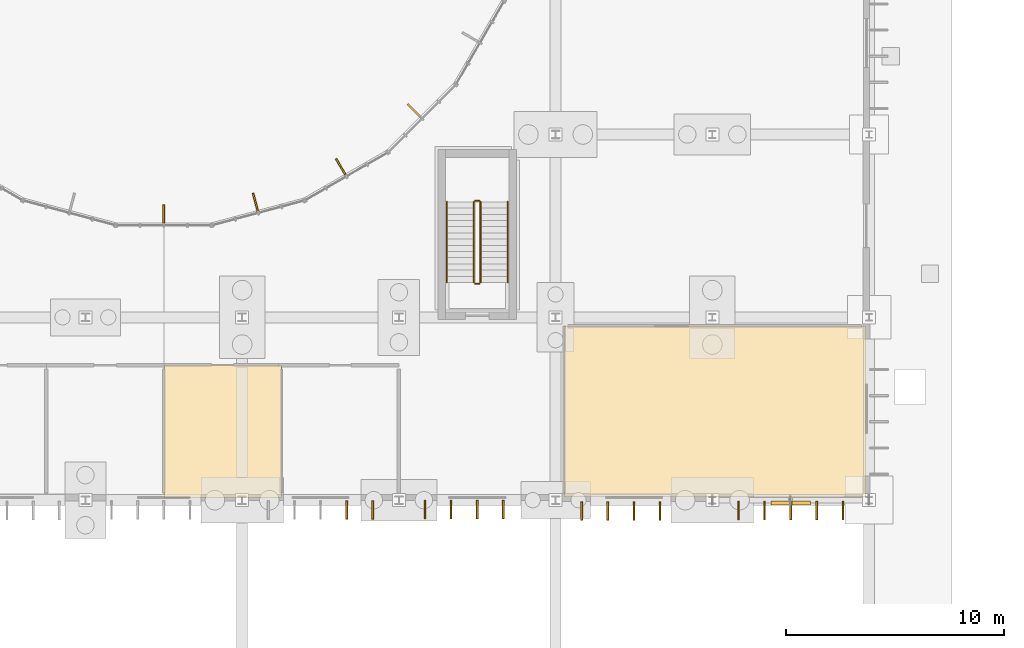
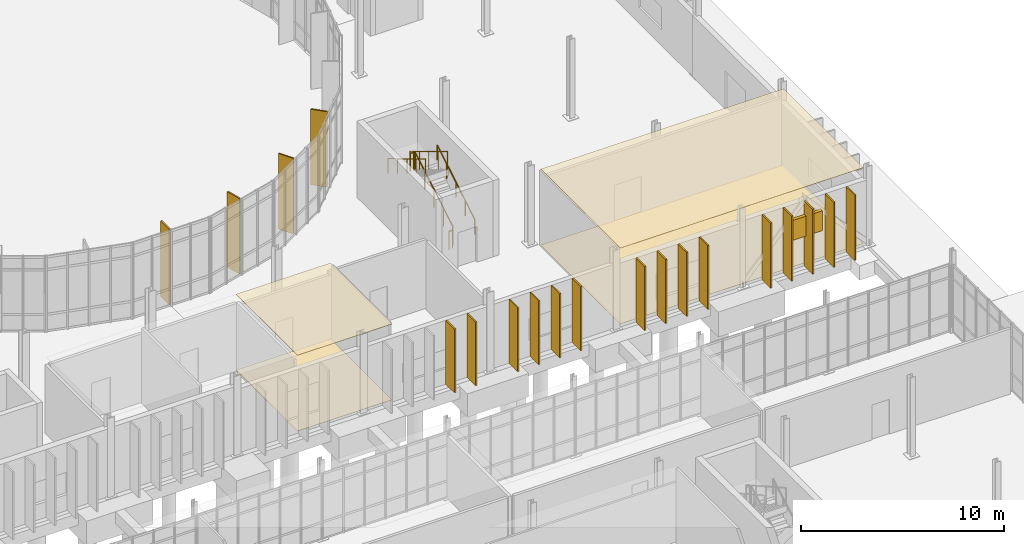
# One storey, part 116 of 118: 20 shading devices, 6 railings, 4 coverings.
"""IFC4 building model written with IfcOpenShell, lengths in metres."""

from ifc_helpers import new_model, si_unit, direction, frame, origin, origin_2d, place, context, subcontext, project, spatial, polyline, rectangle, circle, outline, extrude, material, layer, layer_set, type_object, element, save


model = new_model("IFC4")

# Units and contexts
model_context = context("Model", 3, precision=1e-05, world=origin(), true_north=direction((0.0, 1.0)))
body_context = subcontext(model_context, "Body", "Model", "MODEL_VIEW")
ifc_project = project(units=[si_unit("LENGTHUNIT", "METRE"), si_unit("AREAUNIT", "SQUARE_METRE"), si_unit("VOLUMEUNIT", "CUBIC_METRE"), si_unit("PLANEANGLEUNIT", "RADIAN"), si_unit("MASSUNIT", "GRAM", prefix="KILO")], contexts=[model_context])

# Site, building, storey
site_placement = place(None, origin())
site = spatial("IfcSite", under=ifc_project, at=site_placement, CompositionType="ELEMENT")
building_placement = place(site_placement, origin())
building = spatial("IfcBuilding", under=site, at=building_placement, Name="Qelthora Terrace Specialist Clinic", CompositionType="ELEMENT")
storey_placement = place(building_placement, origin())
storey = spatial("IfcBuildingStorey", under=building, at=storey_placement, Name="L00", CompositionType="ELEMENT", Elevation=0.0)

# Coverings
ifc_material_1 = material(Name="Hygienic mineral-fibre acoustic ceiling", Category="gypsum")
ifc_layer_1 = layer(ifc_material_1, 0.02490234375)
ifc_layer_set_1 = layer_set([ifc_layer_1], Name="Hygienic mineral-fibre acoustic ceiling")
covering_type_1 = type_object("IfcCoveringType", Name="COV-CEIL-ACU-25", PredefinedType="CEILING", material=ifc_layer_set_1)
covering_1_placement = place(storey_placement, frame((0.0, 0.0, 4.554931640625)))
element("IfcCovering", 1, at=covering_1_placement, inside=storey, type_object=covering_type_1, Name="Cardiac Diagnostics Suite East L00-34B acoustic ceiling", PredefinedType="CEILING", context=body_context, shape_type="SweptSolid", body=[
    extrude(outline(polyline([(144.39990234375, 33.75), (144.39990234375, 41.60009765625), (158.25, 41.60009765625), (158.25, 33.75), (144.39990234375, 33.75)])), origin(), (0.0, 0.0, 1.0), 0.025146484375),
])
covering_2_placement = place(storey_placement, frame((0.0, 0.0, 4.554931640625)))
element("IfcCovering", 2, at=covering_2_placement, inside=storey, type_object=covering_type_1, Name="Outpatient Waiting Lounge L00-35 acoustic ceiling", PredefinedType="CEILING", context=body_context, shape_type="SweptSolid", body=[
    extrude(outline(polyline([(126.0048828125, 39.800048828125), (131.39990234375, 39.800048828125), (131.39990234375, 33.72998046875), (126.0048828125, 33.72998046875), (126.0048828125, 39.800048828125)])), origin(), (0.0, 0.0, 1.0), 0.025146484375),
])
ifc_material_2 = material(Name="Antimicrobial clinical linoleum flooring", Category="other")
ifc_layer_2 = layer(ifc_material_2, 0.011962890625)
ifc_layer_set_2 = layer_set([ifc_layer_2], Name="Antimicrobial clinical linoleum flooring")
covering_type_2 = type_object("IfcCoveringType", Name="COV-FLR-LINO-12", PredefinedType="FLOORING", material=ifc_layer_set_2)
covering_3_placement = place(storey_placement, origin())
element("IfcCovering", 3, at=covering_3_placement, inside=storey, type_object=covering_type_2, Name="Cardiac Diagnostics Suite East L00-34B resilient linoleum flooring", PredefinedType="FLOORING", context=body_context, shape_type="SweptSolid", body=[
    extrude(outline(polyline([(144.39990234375, 33.75), (144.39990234375, 41.60009765625), (158.25, 41.60009765625), (158.25, 33.75), (144.39990234375, 33.75)])), origin(), (0.0, 0.0, 1.0), 0.011962890625),
])
covering_4_placement = place(storey_placement, origin())
element("IfcCovering", 4, at=covering_4_placement, inside=storey, type_object=covering_type_2, Name="Outpatient Waiting Lounge L00-35 resilient linoleum flooring", PredefinedType="FLOORING", context=body_context, shape_type="SweptSolid", body=[
    extrude(outline(polyline([(126.0048828125, 39.800048828125), (131.39990234375, 39.800048828125), (131.39990234375, 33.72998046875), (126.0048828125, 33.72998046875), (126.0048828125, 39.800048828125)])), origin(), (0.0, 0.0, 1.0), 0.011962890625),
])

# Railings
ifc_material_3 = material(Name="Steel S355", Category="steel")
railing_type_1 = type_object("IfcRailingType", Name="RAL-GD-1100-S355", PredefinedType="GUARDRAIL", material=ifc_material_3)
railing_1_placement = place(storey_placement, frame((140.550048828125, 43.60009765625, 0.17138671875)))
element("IfcRailing", 5, at=railing_1_placement, inside=storey, type_object=railing_type_1, Name="L00 ST-06 stair guard 1", PredefinedType="GUARDRAIL", context=body_context, shape_type="SweptSolid", body=[
    extrude(circle(Radius=0.02392578125, at=origin_2d()), frame((0.0, 0.0, 1.076171875), z_axis=(0.0, 0.856919398105, 0.515450429384), x_axis=(-1.0, 0.0, 0.0)), (0.0, 0.0, 1.0), 4.323486328125),
    extrude(circle(Radius=0.02099609375, at=origin_2d()), origin(), (0.0, 0.0, 1.0), 1.052001953125),
    extrude(circle(Radius=0.02099609375, at=origin_2d()), frame((0.0, 0.92626953125, 0.55712890625)), (0.0, 0.0, 1.0), 1.052001953125),
    extrude(circle(Radius=0.02099609375, at=origin_2d()), frame((0.0, 1.8525390625, 1.1142578125)), (0.0, 0.0, 1.0), 1.052001953125),
    extrude(circle(Radius=0.02099609375, at=origin_2d()), frame((0.0, 2.778564453125, 1.67138671875)), (0.0, 0.0, 1.0), 1.052001953125),
    extrude(circle(Radius=0.02099609375, at=origin_2d()), frame((0.0, 3.704833984375, 2.228515625)), (0.0, 0.0, 1.0), 1.052001953125),
])
railing_2_placement = place(storey_placement, frame((140.5, 47.35498046875, 2.39990234375)))
element("IfcRailing", 6, at=railing_2_placement, inside=storey, type_object=railing_type_1, Name="L00 ST-06 stair guard 2", PredefinedType="GUARDRAIL", context=body_context, shape_type="SweptSolid", body=[
    extrude(circle(Radius=0.02392578125, at=origin_2d()), frame((0.0, 0.0, 1.076171875), z_axis=(-1.0, 0.0, 0.0), x_axis=(0.0, -1.0, 0.0)), (0.0, 0.0, 1.0), 0.199951171875),
    extrude(circle(Radius=0.02099609375, at=origin_2d()), origin(), (0.0, 0.0, 1.0), 1.052001953125),
    extrude(circle(Radius=0.02099609375, at=origin_2d()), frame((-0.199951171875, 0.0, 0.0)), (0.0, 0.0, 1.0), 1.052001953125),
])
railing_3_placement = place(storey_placement, frame((140.25, 47.304931640625, 2.571533203125)))
element("IfcRailing", 7, at=railing_3_placement, inside=storey, type_object=railing_type_1, Name="L00 ST-06 stair guard 3", PredefinedType="GUARDRAIL", context=body_context, shape_type="SweptSolid", body=[
    extrude(circle(Radius=0.02392578125, at=origin_2d()), frame((0.0, 0.0, 1.076171875), z_axis=(0.0, -0.856919398105, 0.515450429384), x_axis=(1.0, 0.0, 0.0)), (0.0, 0.0, 1.0), 4.323486328125),
    extrude(circle(Radius=0.02099609375, at=origin_2d()), origin(), (0.0, 0.0, 1.0), 1.052001953125),
    extrude(circle(Radius=0.02099609375, at=origin_2d()), frame((0.0, -0.92626953125, 0.55712890625)), (0.0, 0.0, 1.0), 1.052001953125),
    extrude(circle(Radius=0.02099609375, at=origin_2d()), frame((0.0, -1.8525390625, 1.1142578125)), (0.0, 0.0, 1.0), 1.052001953125),
    extrude(circle(Radius=0.02099609375, at=origin_2d()), frame((0.0, -2.778564453125, 1.67138671875)), (0.0, 0.0, 1.0), 1.052001953125),
    extrude(circle(Radius=0.02099609375, at=origin_2d()), frame((0.0, -3.704833984375, 2.228515625)), (0.0, 0.0, 1.0), 1.052001953125),
])
railing_4_placement = place(storey_placement, frame((140.5, 43.550048828125, 0.0)))
element("IfcRailing", 8, at=railing_4_placement, inside=storey, type_object=railing_type_1, Name="L00 ST-06 stair guard 4", PredefinedType="GUARDRAIL", context=body_context, shape_type="SweptSolid", body=[
    extrude(circle(Radius=0.02392578125, at=origin_2d()), frame((0.0, 0.0, 1.076171875), z_axis=(-1.0, 0.0, 0.0), x_axis=(0.0, -1.0, 0.0)), (0.0, 0.0, 1.0), 0.199951171875),
    extrude(circle(Radius=0.02099609375, at=origin_2d()), origin(), (0.0, 0.0, 1.0), 1.052001953125),
    extrude(circle(Radius=0.02099609375, at=origin_2d()), frame((-0.199951171875, 0.0, 0.0)), (0.0, 0.0, 1.0), 1.052001953125),
])
railing_type_2 = type_object("IfcRailingType", Name="RAL-HR-900-S355", PredefinedType="HANDRAIL", material=ifc_material_3)
railing_5_placement = place(storey_placement, frame((141.800048828125, 43.60009765625, 0.36083984375)))
element("IfcRailing", 9, at=railing_5_placement, inside=storey, type_object=railing_type_2, Name="L00 ST-06 stair handrail 1", PredefinedType="HANDRAIL", context=body_context, shape_type="SweptSolid", body=[
    extrude(circle(Radius=0.02392578125, at=origin_2d()), frame((0.0, 0.0, 0.8759765625), z_axis=(0.0, 0.856919398105, 0.515450429384), x_axis=(-1.0, 0.0, 0.0)), (0.0, 0.0, 1.0), 4.323486328125),
    extrude(circle(Radius=0.02099609375, at=origin_2d()), origin(), (0.0, 0.0, 1.0), 0.851806640625),
    extrude(circle(Radius=0.02099609375, at=origin_2d()), frame((0.0, 0.92626953125, 0.55712890625)), (0.0, 0.0, 1.0), 0.851806640625),
    extrude(circle(Radius=0.02099609375, at=origin_2d()), frame((0.0, 1.8525390625, 1.1142578125)), (0.0, 0.0, 1.0), 0.851806640625),
    extrude(circle(Radius=0.02099609375, at=origin_2d()), frame((0.0, 2.778564453125, 1.67138671875)), (0.0, 0.0, 1.0), 0.851806640625),
    extrude(circle(Radius=0.02099609375, at=origin_2d()), frame((0.0, 3.704833984375, 2.228515625)), (0.0, 0.0, 1.0), 0.851806640625),
])
railing_6_placement = place(storey_placement, frame((139.0, 47.304931640625, 2.7607421875)))
element("IfcRailing", 10, at=railing_6_placement, inside=storey, type_object=railing_type_2, Name="L00 ST-06 stair handrail 2", PredefinedType="HANDRAIL", context=body_context, shape_type="SweptSolid", body=[
    extrude(circle(Radius=0.02392578125, at=origin_2d()), frame((0.0, 0.0, 0.8759765625), z_axis=(0.0, -0.856894455432, 0.515491893485), x_axis=(1.0, 0.0, 0.0)), (0.0, 0.0, 1.0), 4.323486328125),
    extrude(circle(Radius=0.02099609375, at=origin_2d()), origin(), (0.0, 0.0, 1.0), 0.851806640625),
    extrude(circle(Radius=0.02099609375, at=origin_2d()), frame((0.0, -0.92626953125, 0.55712890625)), (0.0, 0.0, 1.0), 0.851806640625),
    extrude(circle(Radius=0.02099609375, at=origin_2d()), frame((0.0, -1.8525390625, 1.1142578125)), (0.0, 0.0, 1.0), 0.851806640625),
    extrude(circle(Radius=0.02099609375, at=origin_2d()), frame((0.0, -2.778564453125, 1.671630859375)), (0.0, 0.0, 1.0), 0.851806640625),
    extrude(circle(Radius=0.02099609375, at=origin_2d()), frame((0.0, -3.704833984375, 2.228759765625)), (0.0, 0.0, 1.0), 0.851806640625),
])

# Shading devices
ifc_material_4 = material(Name="Glulam timber GL28h", Category="wood")
shading_device_type_1 = type_object("IfcShadingDeviceType", Name="SHD-FIN-850", PredefinedType="USERDEFINED", material=ifc_material_4)
for number, where, z_axis, x_axis, name in (
    (11, (126.0, 46.73876953125, 0.0), (0.0, 0.0, 1.0), (0.0, 1.0, 0.0), "Court solar fin FIN-0016"),
    (12, (130.208740234375, 47.292724609375, 0.0), (0.0, 0.0, 1.0), (-0.258819045103, 0.965925826289, 0.0), "Court solar fin FIN-0017"),
    (13, (134.130615234375, 48.917236328125, 0.0), (0.0, 0.0, 1.0), (-0.5, 0.866025403784, 0.0), "Court solar fin FIN-0018"),
    (14, (137.49853515625, 51.50146484375, 0.0), (0.0, 0.0, 1.0), (-0.707106781187, 0.707106781187, 0.0), "Court solar fin FIN-0019"),
):
    element("IfcShadingDevice", number, at=place(storey_placement, frame(where, z_axis=z_axis, x_axis=x_axis)), inside=storey, type_object=shading_device_type_1, Name=name, ObjectType="FIN", PredefinedType="USERDEFINED", context=body_context, shape_type="SweptSolid", body=[
        extrude(rectangle(XDim=0.85009765625, YDim=0.080078125, at=origin_2d()), origin(), (0.0, 0.0, 1.0), 4.544921875),
    ])
for number, where, z_axis, x_axis, name in (
    (15, (134.39990234375, 33.155029296875, 0.0), (0.0, 0.0, 1.0), (0.0, -1.0, 0.0), "Exterior solar shading fin FIN-0386"),
    (16, (135.60009765625, 33.155029296875, 0.0), (0.0, 0.0, 1.0), (0.0, -1.0, 0.0), "Exterior solar shading fin FIN-0387"),
    (17, (138.0, 33.1650390625, 0.0), (0.0, 0.0, 1.0), (0.0, -1.0, 0.0), "Exterior solar shading fin FIN-0388"),
    (18, (139.199951171875, 33.1650390625, 0.0), (0.0, 0.0, 1.0), (0.0, -1.0, 0.0), "Exterior solar shading fin FIN-0389"),
    (19, (140.39990234375, 33.1650390625, 0.0), (0.0, 0.0, 1.0), (0.0, -1.0, 0.0), "Exterior solar shading fin FIN-0390"),
    (20, (141.60009765625, 33.1650390625, 0.0), (0.0, 0.0, 1.0), (0.0, -1.0, 0.0), "Exterior solar shading fin FIN-0391"),
):
    element("IfcShadingDevice", number, at=place(storey_placement, frame(where, z_axis=z_axis, x_axis=x_axis)), inside=storey, type_object=shading_device_type_1, Name=name, ObjectType="FIN", PredefinedType="USERDEFINED", context=body_context, shape_type="SweptSolid", body=[
        extrude(rectangle(XDim=0.85009765625, YDim=0.080078125, at=origin_2d()), origin(), (0.0, 0.0, 1.0), 3.84912109375),
    ])
for number, where, z_axis, x_axis, name in (
    (21, (145.199951171875, 33.10498046875, 0.0), (0.0, 0.0, 1.0), (0.0, -1.0, 0.0), "Exterior solar shading fin FIN-0392"),
    (22, (146.39990234375, 33.10498046875, 0.0), (0.0, 0.0, 1.0), (0.0, -1.0, 0.0), "Exterior solar shading fin FIN-0393"),
    (23, (147.60009765625, 33.10498046875, 0.0), (0.0, 0.0, 1.0), (0.0, -1.0, 0.0), "Exterior solar shading fin FIN-0394"),
    (24, (148.800048828125, 33.10498046875, 0.0), (0.0, 0.0, 1.0), (0.0, -1.0, 0.0), "Exterior solar shading fin FIN-0395"),
):
    element("IfcShadingDevice", number, at=place(storey_placement, frame(where, z_axis=z_axis, x_axis=x_axis)), inside=storey, type_object=shading_device_type_1, Name=name, ObjectType="FIN", PredefinedType="USERDEFINED", context=body_context, shape_type="SweptSolid", body=[
        extrude(rectangle(XDim=0.85009765625, YDim=0.080078125, at=origin_2d()), origin(), (0.0, 0.0, 1.0), 3.85400390625),
    ])
for number, where, z_axis, x_axis, name in (
    (25, (152.39990234375, 33.135009765625, 0.0), (0.0, 0.0, 1.0), (0.0, -1.0, 0.0), "Exterior solar shading fin FIN-0396"),
    (26, (153.60009765625, 33.135009765625, 0.0), (0.0, 0.0, 1.0), (0.0, -1.0, 0.0), "Exterior solar shading fin FIN-0397"),
    (27, (154.800048828125, 33.135009765625, 0.0), (0.0, 0.0, 1.0), (0.0, -1.0, 0.0), "Exterior solar shading fin FIN-0398"),
    (28, (156.0, 33.135009765625, 0.0), (0.0, 0.0, 1.0), (0.0, -1.0, 0.0), "Exterior solar shading fin FIN-0399"),
    (29, (157.199951171875, 33.135009765625, 0.0), (0.0, 0.0, 1.0), (0.0, -1.0, 0.0), "Exterior solar shading fin FIN-0400"),
):
    element("IfcShadingDevice", number, at=place(storey_placement, frame(where, z_axis=z_axis, x_axis=x_axis)), inside=storey, type_object=shading_device_type_1, Name=name, ObjectType="FIN", PredefinedType="USERDEFINED", context=body_context, shape_type="SweptSolid", body=[
        extrude(rectangle(XDim=0.85009765625, YDim=0.080078125, at=origin_2d()), origin(), (0.0, 0.0, 1.0), 3.925048828125),
    ])
ifc_material_5 = material(Name="Aluminium anodized bronze", Category="aluminium")
shading_device_type_2 = type_object("IfcShadingDeviceType", Name="SHD-LOUVRE-1800", PredefinedType="USERDEFINED", material=ifc_material_5)
shading_device_placement = place(storey_placement, frame((154.800048828125, 33.469970703125, 1.89990234375), z_axis=(0.0, 0.0, 1.0), x_axis=(1.0, 0.0, 0.0)))
element("IfcShadingDevice", 30, at=shading_device_placement, inside=storey, type_object=shading_device_type_2, Name="High-altitude HVAC louvre LVR-004", ObjectType="LOUVRE", PredefinedType="USERDEFINED", context=body_context, shape_type="SweptSolid", body=[
    extrude(rectangle(XDim=1.800048828125, YDim=0.179931640625, at=origin_2d()), origin(), (0.0, 0.0, 1.0), 1.199951171875),
])

save(model, "model.ifc")
